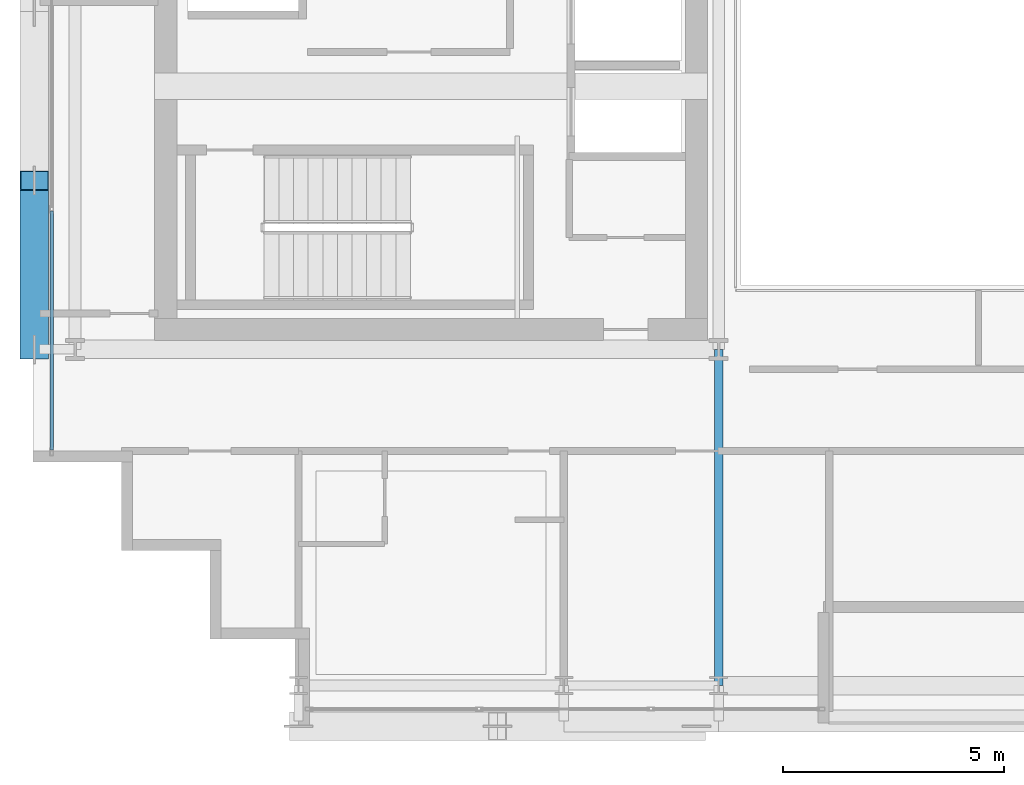
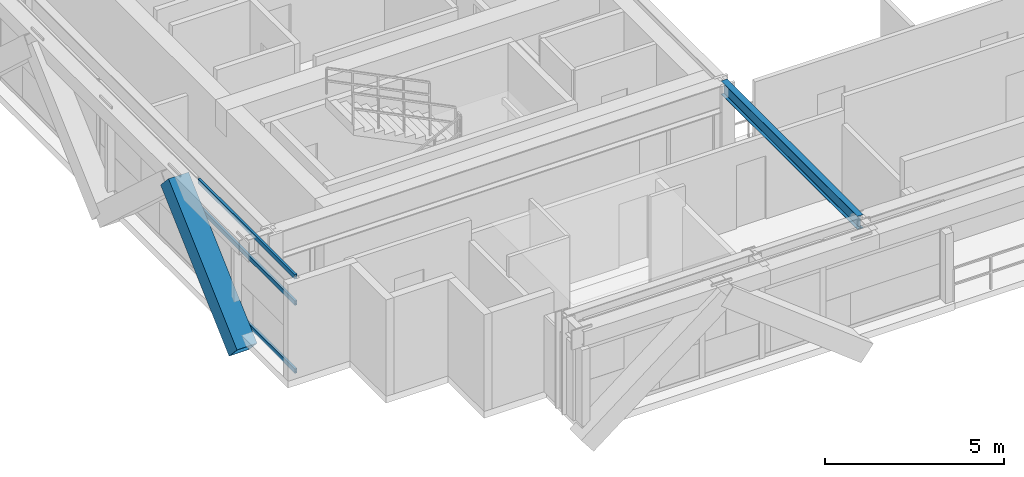
# One storey, part 3 of 32: 4 members, 1 beam, 1 element without a shape of its own.
"""IFC4 building model written with IfcOpenShell, lengths in metres."""

from ifc_helpers import new_model, si_unit, direction, frame, origin, origin_2d, place, context, subcontext, project, spatial, hollow_rectangle, i_section, extrude, source, transform, mapped, material, layer, layer_set, material_profile, profile_set, type_object, element, aggregate, save


model = new_model("IFC4")

# Units and contexts
model_context = context("Model", 3, precision=1e-05, world=origin(), true_north=direction((0.0, 1.0)))
body_context = subcontext(model_context, "Body", "Model", "MODEL_VIEW")
ifc_project = project(units=[si_unit("LENGTHUNIT", "METRE"), si_unit("AREAUNIT", "SQUARE_METRE"), si_unit("VOLUMEUNIT", "CUBIC_METRE"), si_unit("PLANEANGLEUNIT", "RADIAN"), si_unit("MASSUNIT", "GRAM", prefix="KILO")], contexts=[model_context])

# Site, building, storey
site_placement = place(None, origin())
site = spatial("IfcSite", under=ifc_project, at=site_placement, CompositionType="ELEMENT")
building_placement = place(site_placement, origin())
building = spatial("IfcBuilding", under=site, at=building_placement, Name="Ocotamira Hotel", CompositionType="ELEMENT")
storey_placement = place(building_placement, frame((0.0, 0.0, 217.199951171875)))
storey = spatial("IfcBuildingStorey", under=building, at=storey_placement, Name="L55", CompositionType="ELEMENT", Elevation=217.199951171875)

# Beam
ifc_material_1 = material(Name="Steel ASTM A992 Grade 50", Category="steel")
ifc_material_profile_1 = material_profile(ifc_material_1, i_section(OverallWidth=0.18994140625, OverallDepth=0.45703125, WebThickness=0.009033203125, FlangeThickness=0.014404296875, FilletRadius=0.010009765625, at=origin_2d()), Name="W18X50")
ifc_profile_set_1 = profile_set([ifc_material_profile_1], Name="Steel ASTM A992 Grade 50")
beam_type = type_object("IfcBeamType", Name="BM-SEC-W18X50", PredefinedType="JOIST", material=ifc_profile_set_1)
shared_shape_1 = source(origin(), body_context, "Body", "SweptSolid", [
    extrude(i_section(OverallWidth=0.18994140625, OverallDepth=0.45703125, WebThickness=0.009033203125, FlangeThickness=0.014404296875, FilletRadius=0.010009765625, at=origin_2d()), origin(), (0.0, 0.0, 1.0), 7.60009765625),
])
beam_placement = place(storey_placement, frame((23.5, 6.949951171875, 3.051513671875), z_axis=(0.0, 1.0, 0.0), x_axis=(-1.0, 0.0, 0.0)))
element("IfcBeam", 1, at=beam_placement, inside=storey, type_object=beam_type, Name="L55 Beam X23.5 Y6.95-14.55", PredefinedType="JOIST", context=body_context, shape_type="MappedRepresentation", body=[
    mapped(shared_shape_1, transform((0.0, 0.0, 0.0), scale=1.0)),
])

# Member
ifc_material_2 = material(Name="Pale-metal coated steel ASTM A913 Grade 65", Category="steel")
ifc_material_profile_2 = material_profile(ifc_material_2, hollow_rectangle(XDim=0.64990234375, YDim=0.64990234375, WallThickness=0.02197265625, at=origin_2d()), Name="BOX650X650X22")
ifc_profile_set_2 = profile_set([ifc_material_profile_2], Name="Pale-metal coated steel ASTM A913 Grade 65")
member_type_1 = type_object("IfcMemberType", Name="MEM-EXO-BOX650", PredefinedType="BRACE", material=ifc_profile_set_2)
shared_shape_2 = source(origin(), body_context, "Body", "SweptSolid", [
    extrude(hollow_rectangle(XDim=0.64990234375, YDim=0.64990234375, WallThickness=0.02197265625, at=origin_2d()), origin(), (0.0, 0.0, 1.0), 5.185302734375),
])
member_1_placement = place(storey_placement, frame((8.030029296875, 14.550048828125, -0.47998046875), z_axis=(0.0, 0.736056745537, 0.6769198382), x_axis=(-1.0, 0.0, 0.0)))
element("IfcMember", 2, at=member_1_placement, inside=storey, type_object=member_type_1, Name="L55 Exoskeleton Diagrid W0.1", PredefinedType="BRACE", context=body_context, shape_type="MappedRepresentation", body=[
    mapped(shared_shape_2, transform((0.0, 0.0, 0.0), scale=1.0)),
])

# Curtain wall, members
ifc_material_3 = material(Name="Anodised pale-metal aluminium and solar glass", Category="aluminium")
ifc_layer = layer(ifc_material_3, 0.199951171875)
ifc_layer_set = layer_set([ifc_layer], Name="Anodised pale-metal aluminium and solar glass")
curtain_wall_type = type_object("IfcCurtainWallType", Name="CW-SYS4-Z3", PredefinedType="NOTDEFINED", material=ifc_layer_set)
curtain_wall_placement = place(storey_placement, origin())
curtain_wall = element("IfcCurtainWall", 3, at=curtain_wall_placement, inside=storey, type_object=curtain_wall_type, Name="L55 Curtain Wall CW-4 CW-L55-W", PredefinedType="NOTDEFINED")
ifc_material_4 = material(Name="Anodised pale-metal aluminium 6063-T6", Category="aluminium")
ifc_material_profile_3 = material_profile(ifc_material_4, hollow_rectangle(XDim=0.074951171875, YDim=0.14990234375, WallThickness=0.006103515625, at=origin_2d()), Name="HSS150X75X6")
ifc_profile_set_3 = profile_set([ifc_material_profile_3], Name="Anodised pale-metal aluminium 6063-T6")
member_type_2 = type_object("IfcMemberType", Name="CWT-150X75", PredefinedType="USERDEFINED", material=ifc_profile_set_3)
shared_shape_3 = source(origin(), body_context, "Body", "SweptSolid", [
    extrude(hollow_rectangle(XDim=0.074951171875, YDim=0.14990234375, WallThickness=0.006103515625, at=origin_2d()), origin(), (0.0, 0.0, 1.0), 5.39990234375),
])
member_2_placement = place(storey_placement, frame((8.419921875, 12.280029296875, 0.03759765625), z_axis=(0.0, 1.0, 0.0), x_axis=(-1.0, 0.0, 0.0)))
member_2 = element("IfcMember", 4, at=member_2_placement, type_object=member_type_2, Name="CW-4 transom 1.1", ObjectType="TRANSOM", PredefinedType="USERDEFINED", context=body_context, shape_type="MappedRepresentation", body=[
    mapped(shared_shape_3, transform((0.0, 0.0, 0.0), scale=1.0)),
])
member_3_placement = place(storey_placement, frame((8.419921875, 12.280029296875, 2.35009765625), z_axis=(0.0, 1.0, 0.0), x_axis=(-1.0, 0.0, 0.0)))
member_3 = element("IfcMember", 5, at=member_3_placement, type_object=member_type_2, Name="CW-4 transom 1.2", ObjectType="TRANSOM", PredefinedType="USERDEFINED", context=body_context, shape_type="MappedRepresentation", body=[
    mapped(shared_shape_3, transform((0.0, 0.0, 0.0), scale=1.0)),
])
member_4_placement = place(storey_placement, frame((8.419921875, 12.280029296875, 3.242431640625), z_axis=(0.0, 1.0, 0.0), x_axis=(-1.0, 0.0, 0.0)))
member_4 = element("IfcMember", 6, at=member_4_placement, type_object=member_type_2, Name="CW-4 transom 1.3", ObjectType="TRANSOM", PredefinedType="USERDEFINED", context=body_context, shape_type="MappedRepresentation", body=[
    mapped(shared_shape_3, transform((0.0, 0.0, 0.0), scale=1.0)),
])
aggregate(curtain_wall, [member_2, member_3, member_4])

save(model, "model.ifc")
